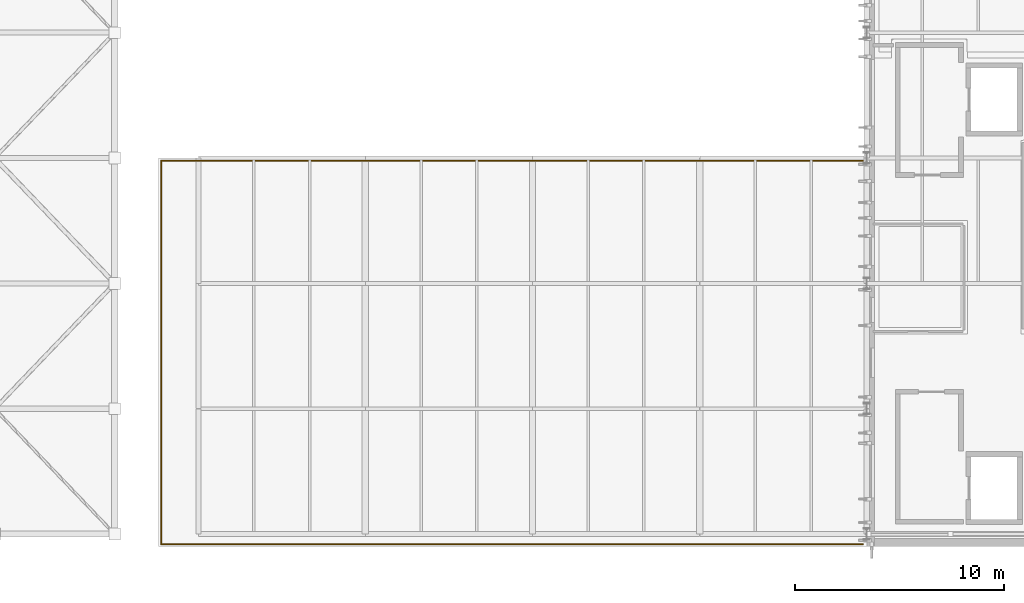
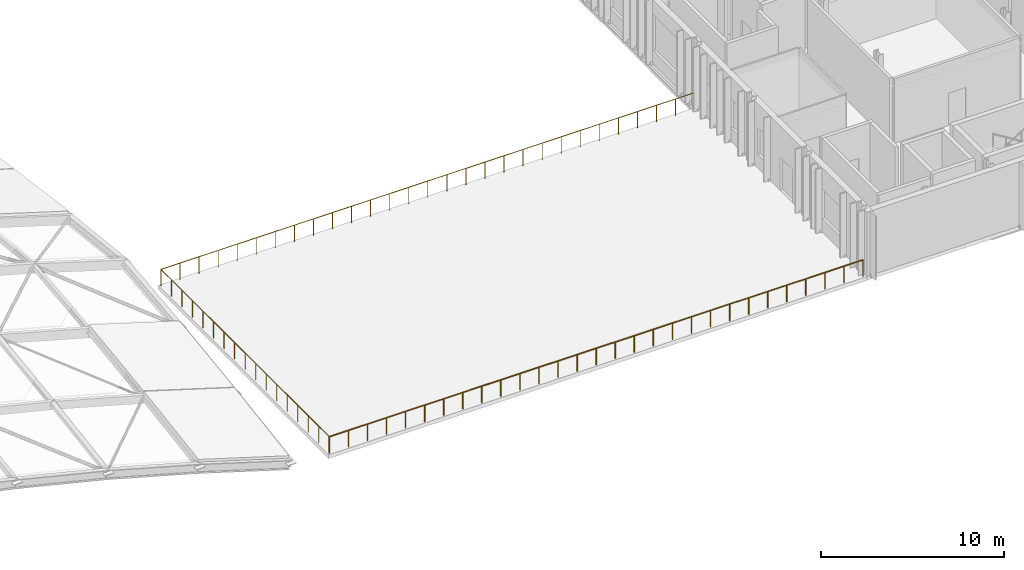
# One storey, part 55 of 62: 2 railings.
"""IFC4 building model written with IfcOpenShell, lengths in metres."""

import ifcopenshell
import ifcopenshell.guid

model = None  # the IFC model being written
_history = None  # IfcOwnerHistory: only IFC2X3 demands one
_inside = {}  # id of a spatial element -> (the spatial element, [elements in it])
_under = {}  # id of a project, library or spatial element -> (it, [spatial elements below it])
_declared = {}  # id of a project -> (the project, [libraries it declares])
_typed = {}  # id of a type object -> (the type object, [elements of that type])
_made_of = {}  # id of a material, layer set ... -> (it, [elements and type objects made of it])


def new_model(schema):
    """Start an empty IFC model of exactly this schema.

    Asked for "IFC4X3", IfcOpenShell would pick the latest addendum, in which some entities
    have other attributes; the version numbers below select the first issue.
    IFC2X3 requires an IfcOwnerHistory on every rooted entity: one is made here for all.
    """
    global model, _history
    if schema == "IFC4X3":
        model = ifcopenshell.file(schema_version=(4, 3, 0, 0))
    else:
        model = ifcopenshell.file(schema=schema)
    _inside.clear()
    _under.clear()
    _declared.clear()
    _typed.clear()
    _made_of.clear()
    _history = None
    if model.schema == "IFC2X3":
        org = make("IfcOrganization", Name="unknown")
        user = make(
            "IfcPersonAndOrganization",
            ThePerson=make("IfcPerson", FamilyName="unknown"),
            TheOrganization=org,
        )
        app = make(
            "IfcApplication",
            ApplicationDeveloper=org,
            Version="unknown",
            ApplicationFullName="unknown",
            ApplicationIdentifier="unknown",
        )
        _history = make(
            "IfcOwnerHistory",
            OwningUser=user,
            OwningApplication=app,
            ChangeAction="ADDED",
            CreationDate=0,
        )
    return model


def make(cls, **values):
    """One entity of the class cls with the attributes given. An attribute that is None is left unset."""
    return model.create_entity(
        cls, **{name: value for name, value in values.items() if value is not None}
    )


def rooted(cls, **values):
    """An entity with a GlobalId (a new one), such as an element, a storey or a relation."""
    return make(cls, GlobalId=ifcopenshell.guid.new(), OwnerHistory=_history, **values)


def si_unit(unit_type, name, prefix=None):
    """IfcSIUnit, for example si_unit("LENGTHUNIT", "METRE", prefix="MILLI")."""
    return make("IfcSIUnit", UnitType=unit_type, Prefix=prefix, Name=name)


def assignment(units):
    """IfcUnitAssignment: the units of a project."""
    return None if units is None else make("IfcUnitAssignment", Units=units)


def point(xyz):
    """IfcCartesianPoint."""
    return None if xyz is None else make("IfcCartesianPoint", Coordinates=xyz)


def direction(xyz):
    """IfcDirection."""
    return None if xyz is None else make("IfcDirection", DirectionRatios=xyz)


def frame(location, z_axis=None, x_axis=None):
    """IfcAxis2Placement3D, a coordinate frame: its origin and axes. An axis left out is left unset."""
    return make(
        "IfcAxis2Placement3D",
        Location=point(location),
        Axis=direction(z_axis),
        RefDirection=direction(x_axis),
    )


def frame_2d(location, x_axis=None):
    """IfcAxis2Placement2D, a coordinate frame in the plane: its origin and x axis."""
    return make(
        "IfcAxis2Placement2D", Location=point(location), RefDirection=direction(x_axis)
    )


def origin():
    """The frame at (0, 0, 0) with its axes left unset."""
    return frame((0.0, 0.0, 0.0))


def origin_2d():
    """The frame at (0, 0) in the plane with its x axis left unset."""
    return frame_2d((0.0, 0.0))


def place(relative_to, where):
    """IfcLocalPlacement: puts the frame where relative to a parent placement (None: the world)."""
    return make(
        "IfcLocalPlacement", PlacementRelTo=relative_to, RelativePlacement=where
    )


def context(
    kind, dimensions, precision=None, world=None, true_north=None, identifier=None
):
    """IfcGeometricRepresentationContext, for example the 3D "Model" context."""
    return make(
        "IfcGeometricRepresentationContext",
        ContextIdentifier=identifier,
        ContextType=kind,
        CoordinateSpaceDimension=dimensions,
        Precision=precision,
        WorldCoordinateSystem=world,
        TrueNorth=true_north,
    )


def subcontext(parent, identifier, kind, view, scale=None):
    """IfcGeometricRepresentationSubContext, for example "Body" below "Model"."""
    return make(
        "IfcGeometricRepresentationSubContext",
        ContextIdentifier=identifier,
        ContextType=kind,
        ParentContext=parent,
        TargetScale=scale,
        TargetView=view,
    )


def project(units=None, contexts=None):
    """IfcProject with its units and contexts."""
    return rooted(
        "IfcProject",
        Name="project",
        RepresentationContexts=contexts,
        UnitsInContext=assignment(units),
    )


def spatial(cls, under=None, at=None, **own):
    """A site, building, storey or space (cls), placed at a placement, below another one or the project."""
    s = rooted(cls, ObjectPlacement=at, **own)
    if under is not None:
        _under.setdefault(under.id(), (under, []))[1].append(s)
    return s


def profile(cls, at=None, kind="AREA", **sizes):
    """A parametric profile (cls). Its sizes go by their IFC names, for example OverallWidth=200.0."""
    return make(cls, ProfileType=kind, Position=at, **sizes)


def circle(**sizes):
    """IfcCircleProfileDef."""
    return profile("IfcCircleProfileDef", **sizes)


def extrude(swept, where, along, depth):
    """IfcExtrudedAreaSolid: the profile swept, set in the frame where, extruded along a direction by depth."""
    return make(
        "IfcExtrudedAreaSolid",
        SweptArea=swept,
        Position=where,
        ExtrudedDirection=direction(along),
        Depth=depth,
    )


def shape(context_of_items, identifier, shape_type, items):
    """IfcShapeRepresentation: the items that make up one representation, for example the "Body"."""
    return make(
        "IfcShapeRepresentation",
        ContextOfItems=context_of_items,
        RepresentationIdentifier=identifier,
        RepresentationType=shape_type,
        Items=items,
    )


def material(Name=None, Category=None):
    """IfcMaterial."""
    return make("IfcMaterial", Name=Name, Category=Category)


def made_of(thing, what):
    """Note that an element or type object is made of a material, layer set ...; save() writes the relation."""
    if what is not None:
        _made_of.setdefault(what.id(), (what, []))[1].append(thing)
    return thing


def type_object(cls, material=None, **own):
    """A type object (cls), such as IfcWallType, which elements share."""
    return made_of(rooted(cls, **own), material)


def element(
    cls,
    number,
    at=None,
    inside=None,
    cuts=None,
    type_object=None,
    material=None,
    context=None,
    identifier="Body",
    shape_type=None,
    held_by="IfcProductDefinitionShape",
    body=None,
    shapes=None,
    **own,
):
    """One element of the class cls, such as IfcWall. Its Tag is "e" and its number.

    at: its placement. inside: the storey or other place that contains it. cuts: it is an
    opening in that element (IfcRelVoidsElement). A single representation is given by context,
    identifier, shape_type and body (its items); several are given by shapes. held_by: the class
    of the entity that holds the representations. save() writes the other relations.
    """
    e = rooted(cls, Tag="e%d" % number, ObjectPlacement=at, **own)
    if body is not None:
        shapes = [shape(context, identifier, shape_type, body)]
    if shapes is not None:
        e.Representation = make(held_by, Representations=shapes)
    if inside is not None:
        _inside.setdefault(inside.id(), (inside, []))[1].append(e)
    if cuts is not None:
        rooted(
            "IfcRelVoidsElement", RelatingBuildingElement=cuts, RelatedOpeningElement=e
        )
    if type_object is not None:
        _typed.setdefault(type_object.id(), (type_object, []))[1].append(e)
    return made_of(e, material)


def aggregate(whole, parts):
    """IfcRelAggregates: a whole, such as a stair, and the parts it consists of."""
    return rooted("IfcRelAggregates", RelatingObject=whole, RelatedObjects=parts)


def save(model, path):
    """Write the relations noted so far, then the file.

    IfcRelAggregates (storeys below a building ...), IfcRelContainedInSpatialStructure (elements
    in a storey), IfcRelDefinesByType, IfcRelAssociatesMaterial and IfcRelDeclares: one each for
    every whole, place, type object, material and project.
    """
    for whole, parts in _under.values():
        aggregate(whole, parts)
    for where, things in _inside.values():
        rooted(
            "IfcRelContainedInSpatialStructure",
            RelatedElements=things,
            RelatingStructure=where,
        )
    for kind, things in _typed.values():
        rooted("IfcRelDefinesByType", RelatedObjects=things, RelatingType=kind)
    for what, things in _made_of.values():
        rooted("IfcRelAssociatesMaterial", RelatedObjects=things, RelatingMaterial=what)
    for by, libraries in _declared.values():
        rooted("IfcRelDeclares", RelatingContext=by, RelatedDefinitions=libraries)
    model.write(path)


model = new_model("IFC4")

# Units and contexts
model_context = context("Model", 3, precision=1e-05, world=origin(), true_north=direction((0.0, 1.0)))
body_context = subcontext(model_context, "Body", "Model", "MODEL_VIEW")
ifc_project = project(units=[si_unit("LENGTHUNIT", "METRE"), si_unit("AREAUNIT", "SQUARE_METRE"), si_unit("VOLUMEUNIT", "CUBIC_METRE"), si_unit("PLANEANGLEUNIT", "RADIAN"), si_unit("MASSUNIT", "GRAM", prefix="KILO")], contexts=[model_context])

# Site, building, storey
site_placement = place(None, origin())
site = spatial("IfcSite", under=ifc_project, at=site_placement, CompositionType="ELEMENT")
building_placement = place(site_placement, origin())
building = spatial("IfcBuilding", under=site, at=building_placement, Name="Cymarion Research Institute", CompositionType="ELEMENT")
storey_placement = place(building_placement, frame((0.0, 0.0, 18.300048828125)))
storey = spatial("IfcBuildingStorey", under=building, at=storey_placement, Name="L04", CompositionType="ELEMENT", Elevation=18.300048828125)

# Railings
ifc_material = material(Name="Steel S355", Category="steel")
railing_type = type_object("IfcRailingType", Name="LAMINATED GLASS AND STEEL BALUSTRADE BAL1 1120MM", PredefinedType="BALUSTRADE", material=ifc_material)
railing_1_placement = place(storey_placement, frame((104.820068359375, 5.02001953125, 0.0)))
element("IfcRailing", 1, at=railing_1_placement, inside=storey, type_object=railing_type, Name="L04 V1 roof garden perimeter balustrade #1", PredefinedType="BALUSTRADE", context=body_context, shape_type="SweptSolid", body=[
    extrude(circle(Radius=0.02392578125, at=origin_2d()), frame((0.0, 0.0, 1.09619140625), z_axis=(0.0, 1.0, 0.0), x_axis=(-1.0, 0.0, 0.0)), (0.0, 0.0, 1.0), 18.35986328125),
    extrude(circle(Radius=0.02392578125, at=origin_2d()), frame((0.0, 18.35986328125, 1.09619140625), z_axis=(1.0, 0.0, 0.0), x_axis=(0.0, 1.0, 0.0)), (0.0, 0.0, 1.0), 33.599853515625),
    extrude(circle(Radius=0.02099609375, at=origin_2d()), origin(), (0.0, 0.0, 1.0), 1.072021484375),
    extrude(circle(Radius=0.02099609375, at=origin_2d()), frame((0.0, 1.1474609375, 0.0)), (0.0, 0.0, 1.0), 1.072021484375),
    extrude(circle(Radius=0.02099609375, at=origin_2d()), frame((0.0, 2.294921875, 0.0)), (0.0, 0.0, 1.0), 1.072021484375),
    extrude(circle(Radius=0.02099609375, at=origin_2d()), frame((0.0, 3.4423828125, 0.0)), (0.0, 0.0, 1.0), 1.072021484375),
    extrude(circle(Radius=0.02099609375, at=origin_2d()), frame((0.0, 4.58984375, 0.0)), (0.0, 0.0, 1.0), 1.072021484375),
    extrude(circle(Radius=0.02099609375, at=origin_2d()), frame((0.0, 5.737548828125, 0.0)), (0.0, 0.0, 1.0), 1.072021484375),
    extrude(circle(Radius=0.02099609375, at=origin_2d()), frame((0.0, 6.885009765625, 0.0)), (0.0, 0.0, 1.0), 1.072021484375),
    extrude(circle(Radius=0.02099609375, at=origin_2d()), frame((0.0, 8.032470703125, 0.0)), (0.0, 0.0, 1.0), 1.072021484375),
    extrude(circle(Radius=0.02099609375, at=origin_2d()), frame((0.0, 9.179931640625, 0.0)), (0.0, 0.0, 1.0), 1.072021484375),
    extrude(circle(Radius=0.02099609375, at=origin_2d()), frame((0.0, 10.327392578125, 0.0)), (0.0, 0.0, 1.0), 1.072021484375),
    extrude(circle(Radius=0.02099609375, at=origin_2d()), frame((0.0, 11.474853515625, 0.0)), (0.0, 0.0, 1.0), 1.072021484375),
    extrude(circle(Radius=0.02099609375, at=origin_2d()), frame((0.0, 12.622314453125, 0.0)), (0.0, 0.0, 1.0), 1.072021484375),
    extrude(circle(Radius=0.02099609375, at=origin_2d()), frame((0.0, 13.77001953125, 0.0)), (0.0, 0.0, 1.0), 1.072021484375),
    extrude(circle(Radius=0.02099609375, at=origin_2d()), frame((0.0, 14.91748046875, 0.0)), (0.0, 0.0, 1.0), 1.072021484375),
    extrude(circle(Radius=0.02099609375, at=origin_2d()), frame((0.0, 16.06494140625, 0.0)), (0.0, 0.0, 1.0), 1.072021484375),
    extrude(circle(Radius=0.02099609375, at=origin_2d()), frame((0.0, 17.21240234375, 0.0)), (0.0, 0.0, 1.0), 1.072021484375),
    extrude(circle(Radius=0.02099609375, at=origin_2d()), frame((0.0, 18.35986328125, 0.0)), (0.0, 0.0, 1.0), 1.072021484375),
    extrude(circle(Radius=0.02099609375, at=origin_2d()), frame((1.199951171875, 18.35986328125, 0.0)), (0.0, 0.0, 1.0), 1.072021484375),
    extrude(circle(Radius=0.02099609375, at=origin_2d()), frame((2.39990234375, 18.35986328125, 0.0)), (0.0, 0.0, 1.0), 1.072021484375),
    extrude(circle(Radius=0.02099609375, at=origin_2d()), frame((3.60009765625, 18.35986328125, 0.0)), (0.0, 0.0, 1.0), 1.072021484375),
    extrude(circle(Radius=0.02099609375, at=origin_2d()), frame((4.800048828125, 18.35986328125, 0.0)), (0.0, 0.0, 1.0), 1.072021484375),
    extrude(circle(Radius=0.02099609375, at=origin_2d()), frame((6.0, 18.35986328125, 0.0)), (0.0, 0.0, 1.0), 1.072021484375),
    extrude(circle(Radius=0.02099609375, at=origin_2d()), frame((7.199951171875, 18.35986328125, 0.0)), (0.0, 0.0, 1.0), 1.072021484375),
    extrude(circle(Radius=0.02099609375, at=origin_2d()), frame((8.39990234375, 18.35986328125, 0.0)), (0.0, 0.0, 1.0), 1.072021484375),
    extrude(circle(Radius=0.02099609375, at=origin_2d()), frame((9.599853515625, 18.35986328125, 0.0)), (0.0, 0.0, 1.0), 1.072021484375),
    extrude(circle(Radius=0.02099609375, at=origin_2d()), frame((10.800048828125, 18.35986328125, 0.0)), (0.0, 0.0, 1.0), 1.072021484375),
    extrude(circle(Radius=0.02099609375, at=origin_2d()), frame((12.0, 18.35986328125, 0.0)), (0.0, 0.0, 1.0), 1.072021484375),
    extrude(circle(Radius=0.02099609375, at=origin_2d()), frame((13.199951171875, 18.35986328125, 0.0)), (0.0, 0.0, 1.0), 1.072021484375),
    extrude(circle(Radius=0.02099609375, at=origin_2d()), frame((14.39990234375, 18.35986328125, 0.0)), (0.0, 0.0, 1.0), 1.072021484375),
    extrude(circle(Radius=0.02099609375, at=origin_2d()), frame((15.599853515625, 18.35986328125, 0.0)), (0.0, 0.0, 1.0), 1.072021484375),
    extrude(circle(Radius=0.02099609375, at=origin_2d()), frame((16.7998046875, 18.35986328125, 0.0)), (0.0, 0.0, 1.0), 1.072021484375),
    extrude(circle(Radius=0.02099609375, at=origin_2d()), frame((18.0, 18.35986328125, 0.0)), (0.0, 0.0, 1.0), 1.072021484375),
    extrude(circle(Radius=0.02099609375, at=origin_2d()), frame((19.199951171875, 18.35986328125, 0.0)), (0.0, 0.0, 1.0), 1.072021484375),
    extrude(circle(Radius=0.02099609375, at=origin_2d()), frame((20.39990234375, 18.35986328125, 0.0)), (0.0, 0.0, 1.0), 1.072021484375),
    extrude(circle(Radius=0.02099609375, at=origin_2d()), frame((21.599853515625, 18.35986328125, 0.0)), (0.0, 0.0, 1.0), 1.072021484375),
    extrude(circle(Radius=0.02099609375, at=origin_2d()), frame((22.7998046875, 18.35986328125, 0.0)), (0.0, 0.0, 1.0), 1.072021484375),
    extrude(circle(Radius=0.02099609375, at=origin_2d()), frame((24.0, 18.35986328125, 0.0)), (0.0, 0.0, 1.0), 1.072021484375),
    extrude(circle(Radius=0.02099609375, at=origin_2d()), frame((25.199951171875, 18.35986328125, 0.0)), (0.0, 0.0, 1.0), 1.072021484375),
    extrude(circle(Radius=0.02099609375, at=origin_2d()), frame((26.39990234375, 18.35986328125, 0.0)), (0.0, 0.0, 1.0), 1.072021484375),
    extrude(circle(Radius=0.02099609375, at=origin_2d()), frame((27.599853515625, 18.35986328125, 0.0)), (0.0, 0.0, 1.0), 1.072021484375),
    extrude(circle(Radius=0.02099609375, at=origin_2d()), frame((28.7998046875, 18.35986328125, 0.0)), (0.0, 0.0, 1.0), 1.072021484375),
    extrude(circle(Radius=0.02099609375, at=origin_2d()), frame((29.999755859375, 18.35986328125, 0.0)), (0.0, 0.0, 1.0), 1.072021484375),
    extrude(circle(Radius=0.02099609375, at=origin_2d()), frame((31.199951171875, 18.35986328125, 0.0)), (0.0, 0.0, 1.0), 1.072021484375),
    extrude(circle(Radius=0.02099609375, at=origin_2d()), frame((32.39990234375, 18.35986328125, 0.0)), (0.0, 0.0, 1.0), 1.072021484375),
    extrude(circle(Radius=0.02099609375, at=origin_2d()), frame((33.599853515625, 18.35986328125, 0.0)), (0.0, 0.0, 1.0), 1.072021484375),
])
railing_2_placement = place(storey_placement, frame((138.419921875, 5.02001953125, 0.0)))
element("IfcRailing", 2, at=railing_2_placement, inside=storey, type_object=railing_type, Name="L04 V1 roof garden perimeter balustrade #2", PredefinedType="BALUSTRADE", context=body_context, shape_type="SweptSolid", body=[
    extrude(circle(Radius=0.02392578125, at=origin_2d()), frame((0.0, 0.0, 1.09619140625), z_axis=(-1.0, 0.0, 0.0), x_axis=(0.0, -1.0, 0.0)), (0.0, 0.0, 1.0), 33.599853515625),
    extrude(circle(Radius=0.02099609375, at=origin_2d()), origin(), (0.0, 0.0, 1.0), 1.072021484375),
    extrude(circle(Radius=0.02099609375, at=origin_2d()), frame((-1.199951171875, 0.0, 0.0)), (0.0, 0.0, 1.0), 1.072021484375),
    extrude(circle(Radius=0.02099609375, at=origin_2d()), frame((-2.39990234375, 0.0, 0.0)), (0.0, 0.0, 1.0), 1.072021484375),
    extrude(circle(Radius=0.02099609375, at=origin_2d()), frame((-3.60009765625, 0.0, 0.0)), (0.0, 0.0, 1.0), 1.072021484375),
    extrude(circle(Radius=0.02099609375, at=origin_2d()), frame((-4.800048828125, 0.0, 0.0)), (0.0, 0.0, 1.0), 1.072021484375),
    extrude(circle(Radius=0.02099609375, at=origin_2d()), frame((-6.0, 0.0, 0.0)), (0.0, 0.0, 1.0), 1.072021484375),
    extrude(circle(Radius=0.02099609375, at=origin_2d()), frame((-7.199951171875, 0.0, 0.0)), (0.0, 0.0, 1.0), 1.072021484375),
    extrude(circle(Radius=0.02099609375, at=origin_2d()), frame((-8.39990234375, 0.0, 0.0)), (0.0, 0.0, 1.0), 1.072021484375),
    extrude(circle(Radius=0.02099609375, at=origin_2d()), frame((-9.599853515625, 0.0, 0.0)), (0.0, 0.0, 1.0), 1.072021484375),
    extrude(circle(Radius=0.02099609375, at=origin_2d()), frame((-10.800048828125, 0.0, 0.0)), (0.0, 0.0, 1.0), 1.072021484375),
    extrude(circle(Radius=0.02099609375, at=origin_2d()), frame((-12.0, 0.0, 0.0)), (0.0, 0.0, 1.0), 1.072021484375),
    extrude(circle(Radius=0.02099609375, at=origin_2d()), frame((-13.199951171875, 0.0, 0.0)), (0.0, 0.0, 1.0), 1.072021484375),
    extrude(circle(Radius=0.02099609375, at=origin_2d()), frame((-14.39990234375, 0.0, 0.0)), (0.0, 0.0, 1.0), 1.072021484375),
    extrude(circle(Radius=0.02099609375, at=origin_2d()), frame((-15.599853515625, 0.0, 0.0)), (0.0, 0.0, 1.0), 1.072021484375),
    extrude(circle(Radius=0.02099609375, at=origin_2d()), frame((-16.7998046875, 0.0, 0.0)), (0.0, 0.0, 1.0), 1.072021484375),
    extrude(circle(Radius=0.02099609375, at=origin_2d()), frame((-18.0, 0.0, 0.0)), (0.0, 0.0, 1.0), 1.072021484375),
    extrude(circle(Radius=0.02099609375, at=origin_2d()), frame((-19.199951171875, 0.0, 0.0)), (0.0, 0.0, 1.0), 1.072021484375),
    extrude(circle(Radius=0.02099609375, at=origin_2d()), frame((-20.39990234375, 0.0, 0.0)), (0.0, 0.0, 1.0), 1.072021484375),
    extrude(circle(Radius=0.02099609375, at=origin_2d()), frame((-21.599853515625, 0.0, 0.0)), (0.0, 0.0, 1.0), 1.072021484375),
    extrude(circle(Radius=0.02099609375, at=origin_2d()), frame((-22.7998046875, 0.0, 0.0)), (0.0, 0.0, 1.0), 1.072021484375),
    extrude(circle(Radius=0.02099609375, at=origin_2d()), frame((-24.0, 0.0, 0.0)), (0.0, 0.0, 1.0), 1.072021484375),
    extrude(circle(Radius=0.02099609375, at=origin_2d()), frame((-25.199951171875, 0.0, 0.0)), (0.0, 0.0, 1.0), 1.072021484375),
    extrude(circle(Radius=0.02099609375, at=origin_2d()), frame((-26.39990234375, 0.0, 0.0)), (0.0, 0.0, 1.0), 1.072021484375),
    extrude(circle(Radius=0.02099609375, at=origin_2d()), frame((-27.599853515625, 0.0, 0.0)), (0.0, 0.0, 1.0), 1.072021484375),
    extrude(circle(Radius=0.02099609375, at=origin_2d()), frame((-28.7998046875, 0.0, 0.0)), (0.0, 0.0, 1.0), 1.072021484375),
    extrude(circle(Radius=0.02099609375, at=origin_2d()), frame((-29.999755859375, 0.0, 0.0)), (0.0, 0.0, 1.0), 1.072021484375),
    extrude(circle(Radius=0.02099609375, at=origin_2d()), frame((-31.199951171875, 0.0, 0.0)), (0.0, 0.0, 1.0), 1.072021484375),
    extrude(circle(Radius=0.02099609375, at=origin_2d()), frame((-32.39990234375, 0.0, 0.0)), (0.0, 0.0, 1.0), 1.072021484375),
    extrude(circle(Radius=0.02099609375, at=origin_2d()), frame((-33.599853515625, 0.0, 0.0)), (0.0, 0.0, 1.0), 1.072021484375),
])

save(model, "model.ifc")
